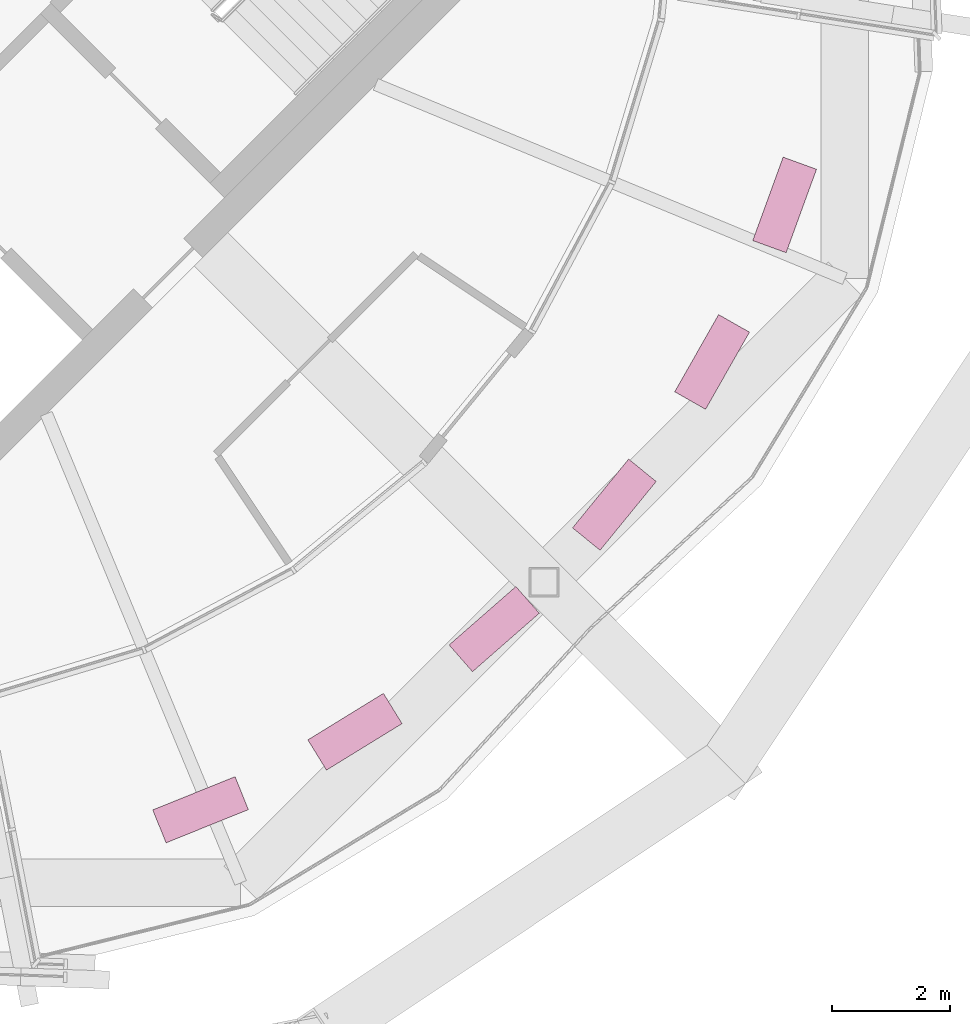
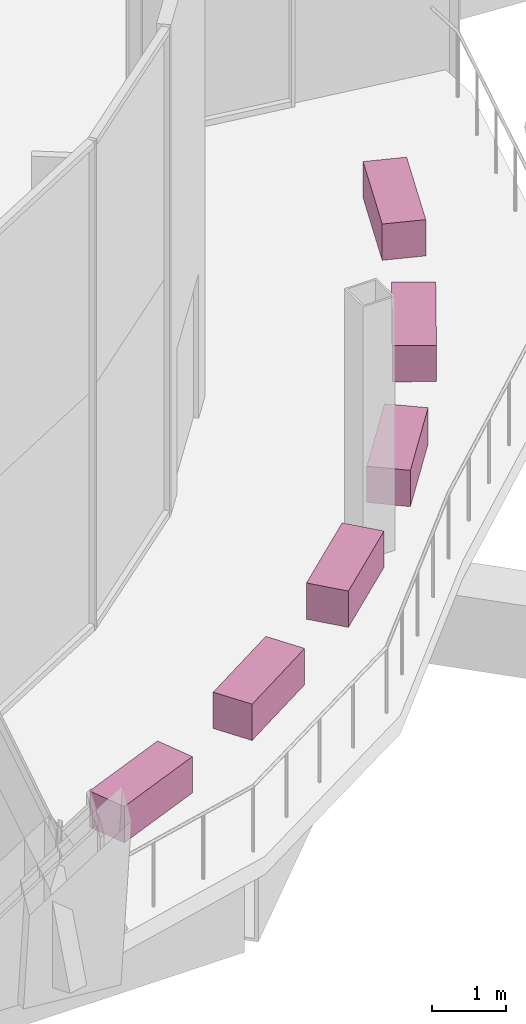
# One storey, part 38 of 38: 6 furniture elements.
"""IFC4 building model written with IfcOpenShell, lengths in metres."""

from ifc_helpers import new_model, si_unit, direction, frame, origin, origin_2d, place, context, subcontext, project, spatial, rectangle, extrude, material, type_object, element, save


model = new_model("IFC4")

# Units and contexts
model_context = context("Model", 3, precision=1e-05, world=origin(), true_north=direction((0.0, 1.0)))
body_context = subcontext(model_context, "Body", "Model", "MODEL_VIEW")
ifc_project = project(units=[si_unit("LENGTHUNIT", "METRE"), si_unit("AREAUNIT", "SQUARE_METRE"), si_unit("VOLUMEUNIT", "CUBIC_METRE"), si_unit("PLANEANGLEUNIT", "RADIAN"), si_unit("MASSUNIT", "GRAM", prefix="KILO")], contexts=[model_context])

# Site, building, storey
site_placement = place(None, origin())
site = spatial("IfcSite", under=ifc_project, at=site_placement, CompositionType="ELEMENT")
building_placement = place(site_placement, origin())
building = spatial("IfcBuilding", under=site, at=building_placement, Name="Ogive Gate Towers", CompositionType="ELEMENT")
storey_placement = place(building_placement, frame((0.0, 0.0, 268.800048828125)))
storey = spatial("IfcBuildingStorey", under=building, at=storey_placement, Name="L63", CompositionType="ELEMENT", Elevation=268.800048828125)

# Furniture
ifc_material = material(Name="Precast concrete C40/50", Category="concrete")
furniture_type = type_object("IfcFurnitureType", Name="Planter 1500 x 600", AssemblyPlace="NOTDEFINED", PredefinedType="USERDEFINED", material=ifc_material)
for number, where, z_axis, x_axis, name in (
    (1, (42.54052734375, -16.188720703125, 0.0), (0.0, 0.0, 1.0), (0.927183854567, 0.374606593416, 0.0), "Planter"),
    (2, (45.148681640625, -14.87109375, 0.0), (0.0, 0.0, 1.0), (0.851726934143, 0.52398590597, 0.0), "Planter"),
    (3, (47.500732421875, -13.13720703125, 0.0), (0.0, 0.0, 1.0), (0.752414908896, 0.658689460119, 0.0), "Planter"),
    (4, (49.530517578125, -11.03515625, 0.0), (0.0, 0.0, 1.0), (0.632029302665, 0.774944488704, 0.0), "Planter"),
    (5, (51.181396484375, -8.624267578125, 0.0), (0.0, 0.0, 1.0), (0.493941866584, 0.869494929505, 0.0), "Planter"),
    (6, (52.406982421875, -5.9716796875, 0.0), (0.0, 0.0, 1.0), (0.342020143326, 0.939692620786, 0.0), "Planter"),
):
    element("IfcFurniture", number, at=place(storey_placement, frame(where, z_axis=z_axis, x_axis=x_axis)), inside=storey, type_object=furniture_type, Name=name, ObjectType="PLANTER", PredefinedType="USERDEFINED", context=body_context, shape_type="SweptSolid", body=[
        extrude(rectangle(XDim=1.5, YDim=0.60009765625, at=origin_2d()), origin(), (0.0, 0.0, 1.0), 0.60009765625),
    ])

save(model, "model.ifc")
